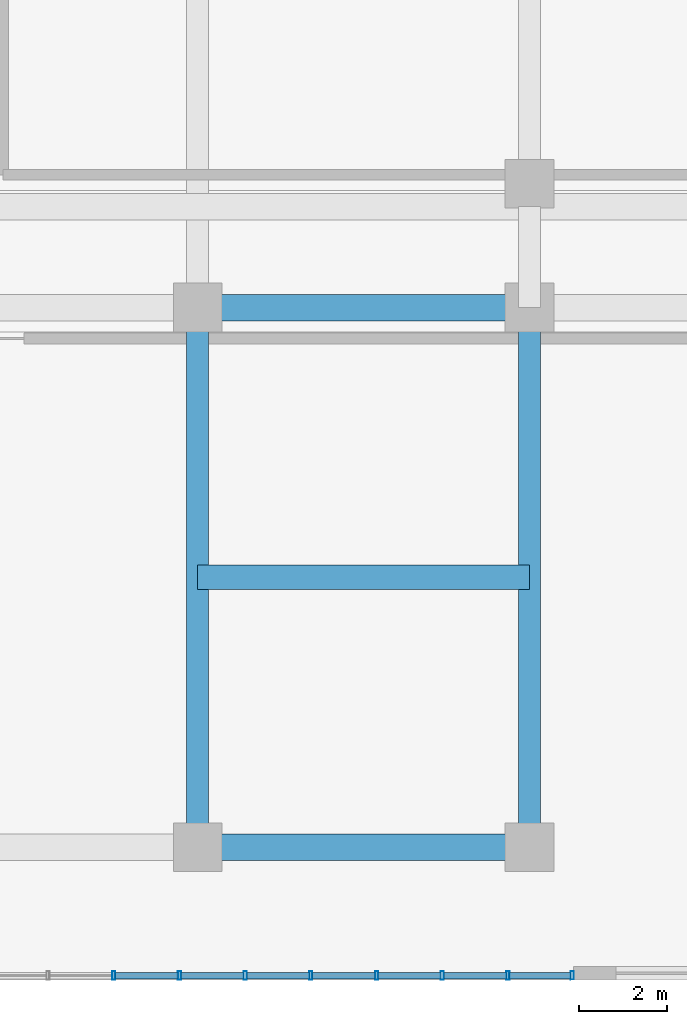
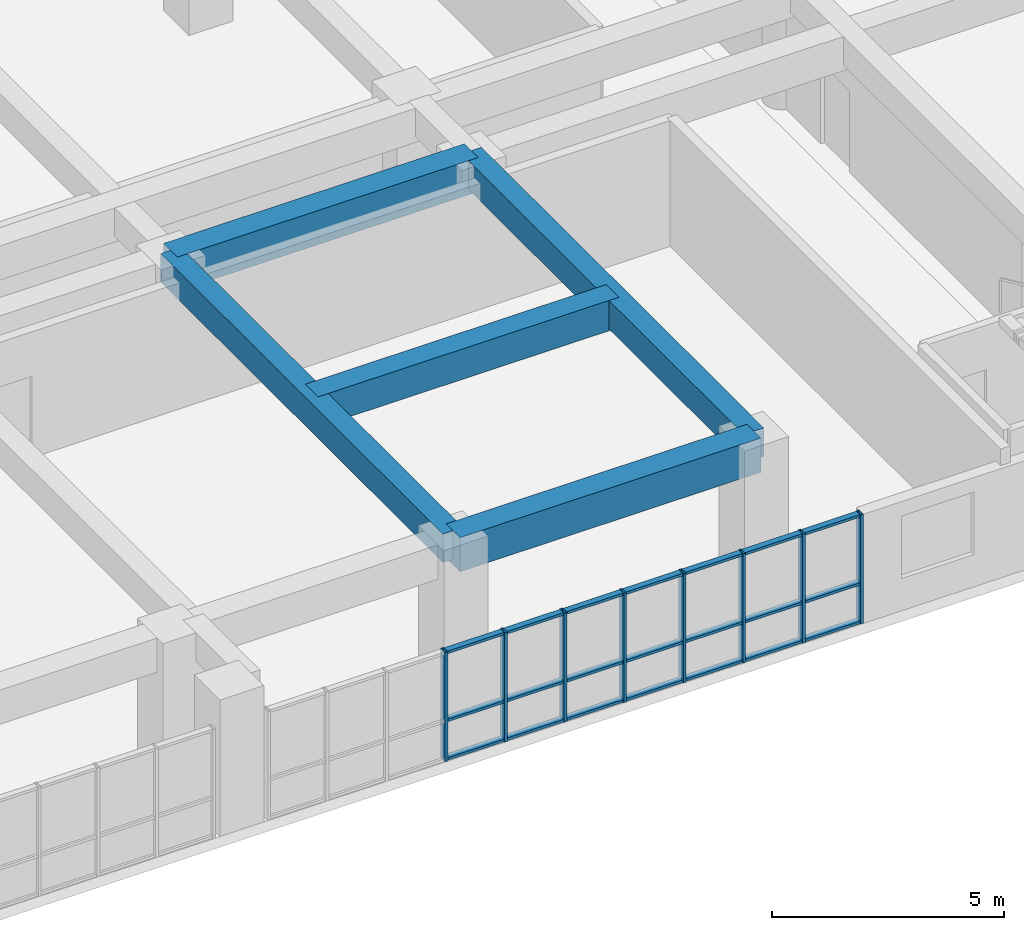
# One storey, part 8 of 30: 29 members, 5 beams, 1 element without a shape of its own.
"""IFC4 building model written with IfcOpenShell, lengths in metres."""

from ifc_helpers import new_model, si_unit, direction, frame, origin, origin_2d, place, context, subcontext, project, spatial, rectangle, hollow_rectangle, extrude, source, transform, mapped, material, layer, layer_set, material_profile, profile_set, type_object, element, aggregate, save


model = new_model("IFC4")

# Units and contexts
model_context = context("Model", 3, precision=1e-05, world=origin(), true_north=direction((0.0, 1.0)))
body_context = subcontext(model_context, "Body", "Model", "MODEL_VIEW")
ifc_project = project(units=[si_unit("LENGTHUNIT", "METRE"), si_unit("AREAUNIT", "SQUARE_METRE"), si_unit("VOLUMEUNIT", "CUBIC_METRE"), si_unit("PLANEANGLEUNIT", "RADIAN"), si_unit("MASSUNIT", "GRAM", prefix="KILO")], contexts=[model_context])

# Site, building, storey
site_placement = place(None, origin())
site = spatial("IfcSite", under=ifc_project, at=site_placement, CompositionType="ELEMENT")
building_placement = place(site_placement, origin())
building = spatial("IfcBuilding", under=site, at=building_placement, Name="Saelheon Loggia Tower", CompositionType="ELEMENT")
storey_placement = place(building_placement, frame((0.0, 0.0, 7.800048828125)))
storey = spatial("IfcBuildingStorey", under=building, at=storey_placement, Name="L02", CompositionType="ELEMENT", Elevation=7.800048828125)

# Beams
ifc_material_1 = material(Name="Concrete C50/60", Category="concrete")
ifc_material_profile_1 = material_profile(ifc_material_1, rectangle(XDim=0.60009765625, YDim=0.89990234375, at=origin_2d()), Name="RC-600x900")
ifc_profile_set_1 = profile_set([ifc_material_profile_1], Name="Concrete C50/60")
beam_type_1 = type_object("IfcBeamType", Name="Beam_MainGirder_RC600x900", PredefinedType="BEAM", material=ifc_profile_set_1)
shared_shape_1 = source(origin(), body_context, "Body", "SweptSolid", [
    extrude(rectangle(XDim=0.60009765625, YDim=0.89990234375, at=origin_2d()), origin(), (0.0, 0.0, 1.0), 7.5),
])
for number, where, z_axis, x_axis, name in (
    (1, (51.5, 3.0, 3.14990234375), (1.0, 0.0, 0.0), (0.0, 1.0, 0.0), "BM-L02-EW-3-7"),
    (2, (51.5, 15.199951171875, 3.14990234375), (1.0, 0.0, 0.0), (0.0, 1.0, 0.0), "BM-L02-EW-15-7"),
):
    element("IfcBeam", number, at=place(storey_placement, frame(where, z_axis=z_axis, x_axis=x_axis)), inside=storey, type_object=beam_type_1, Name=name, PredefinedType="BEAM", context=body_context, shape_type="MappedRepresentation", body=[
        mapped(shared_shape_1, transform((0.0, 0.0, 0.0), scale=1.0)),
    ])
ifc_material_2 = material(Name="Concrete C45/55", Category="concrete")
ifc_material_profile_2 = material_profile(ifc_material_2, rectangle(XDim=0.5, YDim=0.75, at=origin_2d()), Name="RC-500x750")
ifc_profile_set_2 = profile_set([ifc_material_profile_2], Name="Concrete C45/55")
beam_type_2 = type_object("IfcBeamType", Name="Beam_FloorGirder_RC500x750", PredefinedType="BEAM", material=ifc_profile_set_2)
shared_shape_2 = source(origin(), body_context, "Body", "SweptSolid", [
    extrude(rectangle(XDim=0.5, YDim=0.75, at=origin_2d()), origin(), (0.0, 0.0, 1.0), 12.199951171875),
])
for number, where, z_axis, x_axis, name in (
    (3, (51.5, 3.0, 3.224853515625), (0.0, 1.0, 0.0), (-1.0, 0.0, 0.0), "BM-L02-NS-51-1"),
    (4, (59.0, 3.0, 3.224853515625), (0.0, 1.0, 0.0), (-1.0, 0.0, 0.0), "BM-L02-NS-59-1"),
):
    element("IfcBeam", number, at=place(storey_placement, frame(where, z_axis=z_axis, x_axis=x_axis)), inside=storey, type_object=beam_type_2, Name=name, PredefinedType="BEAM", context=body_context, shape_type="MappedRepresentation", body=[
        mapped(shared_shape_2, transform((0.0, 0.0, 0.0), scale=1.0)),
    ])
ifc_material_profile_3 = material_profile(ifc_material_2, rectangle(XDim=0.550048828125, YDim=0.800048828125, at=origin_2d()), Name="RC-550x800")
ifc_profile_set_3 = profile_set([ifc_material_profile_3], Name="Concrete C45/55")
beam_type_3 = type_object("IfcBeamType", Name="Beam_ClinicGirder_RC550x800", PredefinedType="BEAM", material=ifc_profile_set_3)
shared_shape_3 = source(origin(), body_context, "Body", "SweptSolid", [
    extrude(rectangle(XDim=0.550048828125, YDim=0.800048828125, at=origin_2d()), origin(), (0.0, 0.0, 1.0), 7.5),
])
beam_placement = place(storey_placement, frame((51.5, 9.10009765625, 3.199951171875), z_axis=(1.0, 0.0, 0.0), x_axis=(0.0, 1.0, 0.0)))
element("IfcBeam", 5, at=beam_placement, inside=storey, type_object=beam_type_3, Name="JST-L02-CL-SE", PredefinedType="BEAM", context=body_context, shape_type="MappedRepresentation", body=[
    mapped(shared_shape_3, transform((0.0, 0.0, 0.0), scale=1.0)),
])

# Curtain wall, members
ifc_material_3 = material(Name="Aluminium 6063-T6 and Low-E IGU", Category="aluminium")
ifc_layer = layer(ifc_material_3, 0.179931640625)
ifc_layer_set = layer_set([ifc_layer], Name="Aluminium 6063-T6 and Low-E IGU")
curtain_wall_type = type_object("IfcCurtainWallType", Name="CW_PodiumClinic", PredefinedType="NOTDEFINED", material=ifc_layer_set)
curtain_wall_placement = place(storey_placement, origin())
curtain_wall = element("IfcCurtainWall", 6, at=curtain_wall_placement, inside=storey, type_object=curtain_wall_type, Name="L02 South Clinic Curtain Wall 3", PredefinedType="NOTDEFINED")
ifc_material_4 = material(Name="Anodised Aluminium 6063-T6", Category="aluminium")
ifc_material_profile_4 = material_profile(ifc_material_4, hollow_rectangle(XDim=0.070068359375, YDim=0.14990234375, WallThickness=0.0048828125, at=origin_2d()), Name="RHS-150x70x5")
ifc_profile_set_4 = profile_set([ifc_material_profile_4], Name="Anodised Aluminium 6063-T6")
member_type_1 = type_object("IfcMemberType", Name="CW_PodiumClinic_Transom", PredefinedType="USERDEFINED", material=ifc_profile_set_4)
shared_shape_4 = source(origin(), body_context, "Body", "SweptSolid", [
    extrude(hollow_rectangle(XDim=0.070068359375, YDim=0.14990234375, WallThickness=0.0048828125, at=origin_2d()), origin(), (0.0, 0.0, 1.0), 1.3798828125),
])
member_1_placement = place(storey_placement, frame((58.550048828125, 0.10009765625, 0.034912109375), z_axis=(1.0, 0.0, 0.0), x_axis=(0.0, 0.0, 1.0)))
member_1 = element("IfcMember", 7, at=member_1_placement, type_object=member_type_1, Name="CW1 transom 10.1", ObjectType="TRANSOM", PredefinedType="USERDEFINED", context=body_context, shape_type="MappedRepresentation", body=[
    mapped(shared_shape_4, transform((0.0, 0.0, 0.0), scale=1.0)),
])
member_2_placement = place(storey_placement, frame((58.550048828125, 0.10009765625, 1.050048828125), z_axis=(1.0, 0.0, 0.0), x_axis=(0.0, 0.0, 1.0)))
member_2 = element("IfcMember", 8, at=member_2_placement, type_object=member_type_1, Name="CW1 transom 10.2", ObjectType="TRANSOM", PredefinedType="USERDEFINED", context=body_context, shape_type="MappedRepresentation", body=[
    mapped(shared_shape_4, transform((0.0, 0.0, 0.0), scale=1.0)),
])
member_3_placement = place(storey_placement, frame((58.550048828125, 0.10009765625, 2.844970703125), z_axis=(1.0, 0.0, 0.0), x_axis=(0.0, 0.0, 1.0)))
member_3 = element("IfcMember", 9, at=member_3_placement, type_object=member_type_1, Name="CW1 transom 10.3", ObjectType="TRANSOM", PredefinedType="USERDEFINED", context=body_context, shape_type="MappedRepresentation", body=[
    mapped(shared_shape_4, transform((0.0, 0.0, 0.0), scale=1.0)),
])
shared_shape_5 = source(origin(), body_context, "Body", "SweptSolid", [
    extrude(hollow_rectangle(XDim=0.070068359375, YDim=0.14990234375, WallThickness=0.0048828125, at=origin_2d()), origin(), (0.0, 0.0, 1.0), 1.4150390625),
])
member_4_placement = place(storey_placement, frame((49.639892578125, 0.10009765625, 0.034912109375), z_axis=(1.0, 0.0, 0.0), x_axis=(0.0, 0.0, 1.0)))
member_4 = element("IfcMember", 10, at=member_4_placement, type_object=member_type_1, Name="CW1 transom 4.1", ObjectType="TRANSOM", PredefinedType="USERDEFINED", context=body_context, shape_type="MappedRepresentation", body=[
    mapped(shared_shape_5, transform((0.0, 0.0, 0.0), scale=1.0)),
])
member_5_placement = place(storey_placement, frame((49.639892578125, 0.10009765625, 1.050048828125), z_axis=(1.0, 0.0, 0.0), x_axis=(0.0, 0.0, 1.0)))
member_5 = element("IfcMember", 11, at=member_5_placement, type_object=member_type_1, Name="CW1 transom 4.2", ObjectType="TRANSOM", PredefinedType="USERDEFINED", context=body_context, shape_type="MappedRepresentation", body=[
    mapped(shared_shape_5, transform((0.0, 0.0, 0.0), scale=1.0)),
])
member_6_placement = place(storey_placement, frame((49.639892578125, 0.10009765625, 2.844970703125), z_axis=(1.0, 0.0, 0.0), x_axis=(0.0, 0.0, 1.0)))
member_6 = element("IfcMember", 12, at=member_6_placement, type_object=member_type_1, Name="CW1 transom 4.3", ObjectType="TRANSOM", PredefinedType="USERDEFINED", context=body_context, shape_type="MappedRepresentation", body=[
    mapped(shared_shape_5, transform((0.0, 0.0, 0.0), scale=1.0)),
])
member_7_placement = place(storey_placement, frame((51.125, 0.10009765625, 0.034912109375), z_axis=(1.0, 0.0, 0.0), x_axis=(0.0, 0.0, 1.0)))
member_7 = element("IfcMember", 13, at=member_7_placement, type_object=member_type_1, Name="CW1 transom 5.1", ObjectType="TRANSOM", PredefinedType="USERDEFINED", context=body_context, shape_type="MappedRepresentation", body=[
    mapped(shared_shape_5, transform((0.0, 0.0, 0.0), scale=1.0)),
])
member_8_placement = place(storey_placement, frame((51.125, 0.10009765625, 1.050048828125), z_axis=(1.0, 0.0, 0.0), x_axis=(0.0, 0.0, 1.0)))
member_8 = element("IfcMember", 14, at=member_8_placement, type_object=member_type_1, Name="CW1 transom 5.2", ObjectType="TRANSOM", PredefinedType="USERDEFINED", context=body_context, shape_type="MappedRepresentation", body=[
    mapped(shared_shape_5, transform((0.0, 0.0, 0.0), scale=1.0)),
])
member_9_placement = place(storey_placement, frame((51.125, 0.10009765625, 2.844970703125), z_axis=(1.0, 0.0, 0.0), x_axis=(0.0, 0.0, 1.0)))
member_9 = element("IfcMember", 15, at=member_9_placement, type_object=member_type_1, Name="CW1 transom 5.3", ObjectType="TRANSOM", PredefinedType="USERDEFINED", context=body_context, shape_type="MappedRepresentation", body=[
    mapped(shared_shape_5, transform((0.0, 0.0, 0.0), scale=1.0)),
])
member_10_placement = place(storey_placement, frame((54.094970703125, 0.10009765625, 0.034912109375), z_axis=(1.0, 0.0, 0.0), x_axis=(0.0, 0.0, 1.0)))
member_10 = element("IfcMember", 16, at=member_10_placement, type_object=member_type_1, Name="CW1 transom 7.1", ObjectType="TRANSOM", PredefinedType="USERDEFINED", context=body_context, shape_type="MappedRepresentation", body=[
    mapped(shared_shape_5, transform((0.0, 0.0, 0.0), scale=1.0)),
])
member_11_placement = place(storey_placement, frame((54.094970703125, 0.10009765625, 1.050048828125), z_axis=(1.0, 0.0, 0.0), x_axis=(0.0, 0.0, 1.0)))
member_11 = element("IfcMember", 17, at=member_11_placement, type_object=member_type_1, Name="CW1 transom 7.2", ObjectType="TRANSOM", PredefinedType="USERDEFINED", context=body_context, shape_type="MappedRepresentation", body=[
    mapped(shared_shape_5, transform((0.0, 0.0, 0.0), scale=1.0)),
])
member_12_placement = place(storey_placement, frame((54.094970703125, 0.10009765625, 2.844970703125), z_axis=(1.0, 0.0, 0.0), x_axis=(0.0, 0.0, 1.0)))
member_12 = element("IfcMember", 18, at=member_12_placement, type_object=member_type_1, Name="CW1 transom 7.3", ObjectType="TRANSOM", PredefinedType="USERDEFINED", context=body_context, shape_type="MappedRepresentation", body=[
    mapped(shared_shape_5, transform((0.0, 0.0, 0.0), scale=1.0)),
])
member_13_placement = place(storey_placement, frame((55.580078125, 0.10009765625, 0.034912109375), z_axis=(1.0, 0.0, 0.0), x_axis=(0.0, 0.0, 1.0)))
member_13 = element("IfcMember", 19, at=member_13_placement, type_object=member_type_1, Name="CW1 transom 8.1", ObjectType="TRANSOM", PredefinedType="USERDEFINED", context=body_context, shape_type="MappedRepresentation", body=[
    mapped(shared_shape_5, transform((0.0, 0.0, 0.0), scale=1.0)),
])
member_14_placement = place(storey_placement, frame((55.580078125, 0.10009765625, 1.050048828125), z_axis=(1.0, 0.0, 0.0), x_axis=(0.0, 0.0, 1.0)))
member_14 = element("IfcMember", 20, at=member_14_placement, type_object=member_type_1, Name="CW1 transom 8.2", ObjectType="TRANSOM", PredefinedType="USERDEFINED", context=body_context, shape_type="MappedRepresentation", body=[
    mapped(shared_shape_5, transform((0.0, 0.0, 0.0), scale=1.0)),
])
member_15_placement = place(storey_placement, frame((55.580078125, 0.10009765625, 2.844970703125), z_axis=(1.0, 0.0, 0.0), x_axis=(0.0, 0.0, 1.0)))
member_15 = element("IfcMember", 21, at=member_15_placement, type_object=member_type_1, Name="CW1 transom 8.3", ObjectType="TRANSOM", PredefinedType="USERDEFINED", context=body_context, shape_type="MappedRepresentation", body=[
    mapped(shared_shape_5, transform((0.0, 0.0, 0.0), scale=1.0)),
])
member_16_placement = place(storey_placement, frame((57.06494140625, 0.10009765625, 0.034912109375), z_axis=(1.0, 0.0, 0.0), x_axis=(0.0, 0.0, 1.0)))
member_16 = element("IfcMember", 22, at=member_16_placement, type_object=member_type_1, Name="CW1 transom 9.1", ObjectType="TRANSOM", PredefinedType="USERDEFINED", context=body_context, shape_type="MappedRepresentation", body=[
    mapped(shared_shape_5, transform((0.0, 0.0, 0.0), scale=1.0)),
])
member_17_placement = place(storey_placement, frame((57.06494140625, 0.10009765625, 1.050048828125), z_axis=(1.0, 0.0, 0.0), x_axis=(0.0, 0.0, 1.0)))
member_17 = element("IfcMember", 23, at=member_17_placement, type_object=member_type_1, Name="CW1 transom 9.2", ObjectType="TRANSOM", PredefinedType="USERDEFINED", context=body_context, shape_type="MappedRepresentation", body=[
    mapped(shared_shape_5, transform((0.0, 0.0, 0.0), scale=1.0)),
])
member_18_placement = place(storey_placement, frame((57.06494140625, 0.10009765625, 2.844970703125), z_axis=(1.0, 0.0, 0.0), x_axis=(0.0, 0.0, 1.0)))
member_18 = element("IfcMember", 24, at=member_18_placement, type_object=member_type_1, Name="CW1 transom 9.3", ObjectType="TRANSOM", PredefinedType="USERDEFINED", context=body_context, shape_type="MappedRepresentation", body=[
    mapped(shared_shape_5, transform((0.0, 0.0, 0.0), scale=1.0)),
])
shared_shape_6 = source(origin(), body_context, "Body", "SweptSolid", [
    extrude(hollow_rectangle(XDim=0.070068359375, YDim=0.14990234375, WallThickness=0.0048828125, at=origin_2d()), origin(), (0.0, 0.0, 1.0), 1.414794921875),
])
member_19_placement = place(storey_placement, frame((52.610107421875, 0.10009765625, 0.034912109375), z_axis=(1.0, 0.0, 0.0), x_axis=(0.0, 0.0, 1.0)))
member_19 = element("IfcMember", 25, at=member_19_placement, type_object=member_type_1, Name="CW1 transom 6.1", ObjectType="TRANSOM", PredefinedType="USERDEFINED", context=body_context, shape_type="MappedRepresentation", body=[
    mapped(shared_shape_6, transform((0.0, 0.0, 0.0), scale=1.0)),
])
member_20_placement = place(storey_placement, frame((52.610107421875, 0.10009765625, 1.050048828125), z_axis=(1.0, 0.0, 0.0), x_axis=(0.0, 0.0, 1.0)))
member_20 = element("IfcMember", 26, at=member_20_placement, type_object=member_type_1, Name="CW1 transom 6.2", ObjectType="TRANSOM", PredefinedType="USERDEFINED", context=body_context, shape_type="MappedRepresentation", body=[
    mapped(shared_shape_6, transform((0.0, 0.0, 0.0), scale=1.0)),
])
member_21_placement = place(storey_placement, frame((52.610107421875, 0.10009765625, 2.844970703125), z_axis=(1.0, 0.0, 0.0), x_axis=(0.0, 0.0, 1.0)))
member_21 = element("IfcMember", 27, at=member_21_placement, type_object=member_type_1, Name="CW1 transom 6.3", ObjectType="TRANSOM", PredefinedType="USERDEFINED", context=body_context, shape_type="MappedRepresentation", body=[
    mapped(shared_shape_6, transform((0.0, 0.0, 0.0), scale=1.0)),
])
ifc_material_profile_5 = material_profile(ifc_material_4, hollow_rectangle(XDim=0.070068359375, YDim=0.199951171875, WallThickness=0.0048828125, at=origin_2d()), Name="RHS-200x70x5")
ifc_profile_set_5 = profile_set([ifc_material_profile_5], Name="Anodised Aluminium 6063-T6")
member_type_2 = type_object("IfcMemberType", Name="CW_PodiumClinic_Mullion", PredefinedType="MULLION", material=ifc_profile_set_5)
shared_shape_7 = source(origin(), body_context, "Body", "SweptSolid", [
    extrude(hollow_rectangle(XDim=0.070068359375, YDim=0.199951171875, WallThickness=0.0048828125, at=origin_2d()), origin(), (0.0, 0.0, 1.0), 2.8798828125),
])
member_22_placement = place(storey_placement, frame((49.60498046875, 0.10009765625, 0.0), z_axis=(0.0, 0.0, 1.0), x_axis=(1.0, 0.0, 0.0)))
member_22 = element("IfcMember", 28, at=member_22_placement, type_object=member_type_2, Name="CW1 mullion 4", PredefinedType="MULLION", context=body_context, shape_type="MappedRepresentation", body=[
    mapped(shared_shape_7, transform((0.0, 0.0, 0.0), scale=1.0)),
])
member_23_placement = place(storey_placement, frame((51.090087890625, 0.10009765625, 0.0), z_axis=(0.0, 0.0, 1.0), x_axis=(1.0, 0.0, 0.0)))
member_23 = element("IfcMember", 29, at=member_23_placement, type_object=member_type_2, Name="CW1 mullion 5", PredefinedType="MULLION", context=body_context, shape_type="MappedRepresentation", body=[
    mapped(shared_shape_7, transform((0.0, 0.0, 0.0), scale=1.0)),
])
member_24_placement = place(storey_placement, frame((52.574951171875, 0.10009765625, 0.0), z_axis=(0.0, 0.0, 1.0), x_axis=(1.0, 0.0, 0.0)))
member_24 = element("IfcMember", 30, at=member_24_placement, type_object=member_type_2, Name="CW1 mullion 6", PredefinedType="MULLION", context=body_context, shape_type="MappedRepresentation", body=[
    mapped(shared_shape_7, transform((0.0, 0.0, 0.0), scale=1.0)),
])
member_25_placement = place(storey_placement, frame((54.06005859375, 0.10009765625, 0.0), z_axis=(0.0, 0.0, 1.0), x_axis=(1.0, 0.0, 0.0)))
member_25 = element("IfcMember", 31, at=member_25_placement, type_object=member_type_2, Name="CW1 mullion 7", PredefinedType="MULLION", context=body_context, shape_type="MappedRepresentation", body=[
    mapped(shared_shape_7, transform((0.0, 0.0, 0.0), scale=1.0)),
])
member_26_placement = place(storey_placement, frame((55.544921875, 0.10009765625, 0.0), z_axis=(0.0, 0.0, 1.0), x_axis=(1.0, 0.0, 0.0)))
member_26 = element("IfcMember", 32, at=member_26_placement, type_object=member_type_2, Name="CW1 mullion 8", PredefinedType="MULLION", context=body_context, shape_type="MappedRepresentation", body=[
    mapped(shared_shape_7, transform((0.0, 0.0, 0.0), scale=1.0)),
])
member_27_placement = place(storey_placement, frame((57.030029296875, 0.10009765625, 0.0), z_axis=(0.0, 0.0, 1.0), x_axis=(1.0, 0.0, 0.0)))
member_27 = element("IfcMember", 33, at=member_27_placement, type_object=member_type_2, Name="CW1 mullion 9", PredefinedType="MULLION", context=body_context, shape_type="MappedRepresentation", body=[
    mapped(shared_shape_7, transform((0.0, 0.0, 0.0), scale=1.0)),
])
member_28_placement = place(storey_placement, frame((58.514892578125, 0.10009765625, 0.0), z_axis=(0.0, 0.0, 1.0), x_axis=(1.0, 0.0, 0.0)))
member_28 = element("IfcMember", 34, at=member_28_placement, type_object=member_type_2, Name="CW1 mullion 10", PredefinedType="MULLION", context=body_context, shape_type="MappedRepresentation", body=[
    mapped(shared_shape_7, transform((0.0, 0.0, 0.0), scale=1.0)),
])
member_29_placement = place(storey_placement, frame((59.965087890625, 0.10009765625, 0.0), z_axis=(0.0, 0.0, 1.0), x_axis=(1.0, 0.0, 0.0)))
member_29 = element("IfcMember", 35, at=member_29_placement, type_object=member_type_2, Name="CW1 mullion 11", PredefinedType="MULLION", context=body_context, shape_type="MappedRepresentation", body=[
    mapped(shared_shape_7, transform((0.0, 0.0, 0.0), scale=1.0)),
])
aggregate(curtain_wall, [member_22, member_23, member_24, member_25, member_26, member_27, member_28, member_29, member_4, member_5, member_6, member_7, member_8, member_9, member_19, member_20, member_21, member_10, member_11, member_12, member_13, member_14, member_15, member_16, member_17, member_18, member_1, member_2, member_3])

save(model, "model.ifc")
